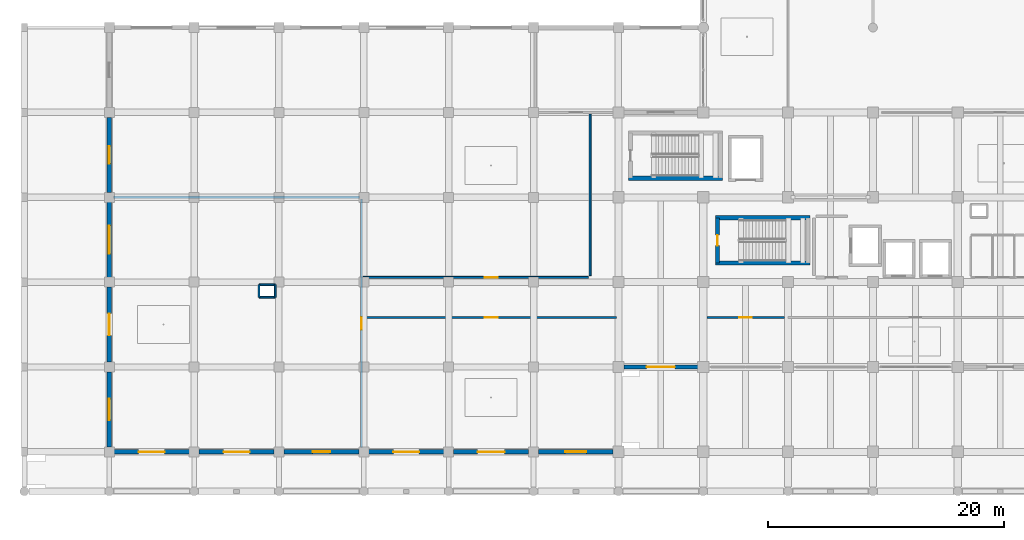
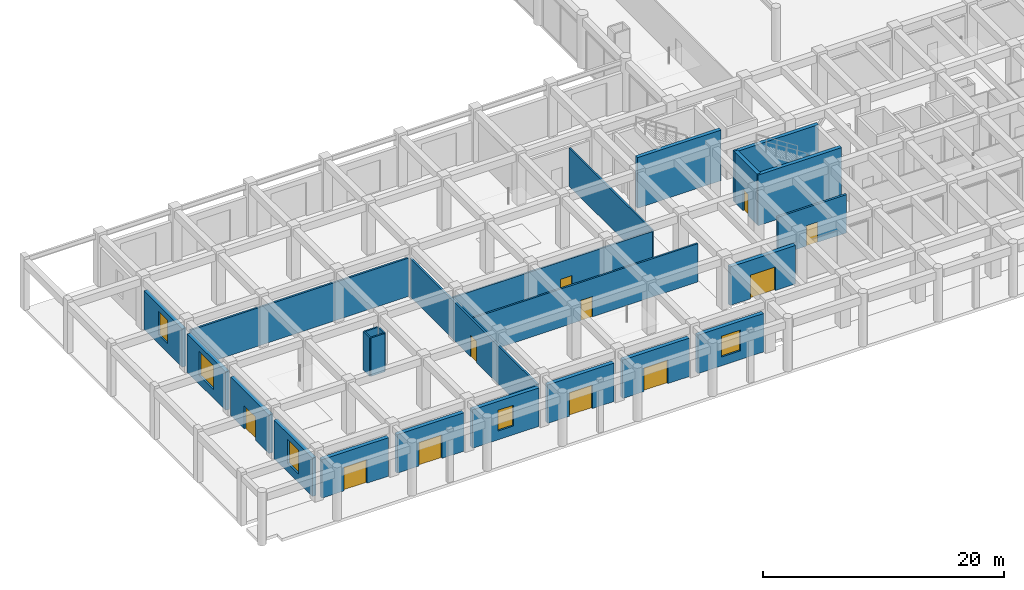
# One storey, part 25 of 56: 25 walls, 11 doors, 5 windows, 16 openings.
"""IFC4 building model written with IfcOpenShell, lengths in metres."""

from ifc_helpers import new_model, si_unit, direction, frame, frame_2d, origin, place, context, subcontext, project, spatial, rectangle, extrude, material, layer, layer_set, type_object, element, fill, save


model = new_model("IFC4")

# Units and contexts
model_context = context("Model", 3, precision=1e-05, world=origin(), true_north=direction((0.0, 1.0)))
body_context = subcontext(model_context, "Body", "Model", "MODEL_VIEW")
ifc_project = project(units=[si_unit("LENGTHUNIT", "METRE"), si_unit("AREAUNIT", "SQUARE_METRE"), si_unit("VOLUMEUNIT", "CUBIC_METRE"), si_unit("PLANEANGLEUNIT", "RADIAN"), si_unit("MASSUNIT", "GRAM", prefix="KILO")], contexts=[model_context])

# Site, building, storey
site_placement = place(None, origin())
site = spatial("IfcSite", under=ifc_project, at=site_placement, CompositionType="ELEMENT")
building_placement = place(site_placement, origin())
building = spatial("IfcBuilding", under=site, at=building_placement, Name="Kazehaya Institute of Natural Sciences", CompositionType="ELEMENT")
storey_placement = place(building_placement, origin())
storey = spatial("IfcBuildingStorey", under=building, at=storey_placement, Name="L00", CompositionType="ELEMENT", Elevation=0.0)

# Walls
ifc_material_1 = material(Name="Concrete Fc42", Category="concrete")
ifc_layer_1 = layer(ifc_material_1, 0.35009765625, Name="Concrete Fc42", Category="concrete")
ifc_layer_set_1 = layer_set([ifc_layer_1], Name="Concrete Fc42")
wall_type_1 = type_object("IfcWallType", Name="WL-CORE-350", PredefinedType="SHEAR", material=ifc_layer_set_1)
for number, where, z_axis, x_axis, name in (
    (1, (70.85498046875, 22.820068359375, 0.0), (0.0, 0.0, 1.0), (-1.0, 0.0, 0.0), "L00 ST-1 core wall S"),
    (2, (62.844970703125, 26.659912109375, 0.0), (0.0, 0.0, 1.0), (1.0, 0.0, 0.0), "L00 ST-1 core wall N"),
):
    element("IfcWall", number, at=place(storey_placement, frame(where, z_axis=z_axis, x_axis=x_axis)), inside=storey, type_object=wall_type_1, Name=name, PredefinedType="SHEAR", context=body_context, shape_type="SweptSolid", body=[
        extrude(rectangle(XDim=8.010009765625, YDim=0.35009765625, at=frame_2d((4.0048828125, 0.0))), origin(), (0.0, 0.0, 1.0), 5.1298828125),
    ])

# Wall, opening, door
wall_1_placement = place(storey_placement, frame((63.02001953125, 22.820068359375, 0.0), z_axis=(0.0, 0.0, 1.0), x_axis=(0.0, 1.0, 0.0)))
wall_1 = element("IfcWall", 3, at=wall_1_placement, inside=storey, type_object=wall_type_1, Name="L00 ST-1 core wall W", PredefinedType="SHEAR", context=body_context, shape_type="SweptSolid", body=[
    extrude(rectangle(XDim=3.83984375, YDim=0.35009765625, at=frame_2d((1.919921875, 0.0))), origin(), (0.0, 0.0, 1.0), 5.1298828125),
])
opening_1_placement = place(wall_1_placement, frame((1.469970703125, 0.0, 0.0)))
opening_1 = element("IfcOpeningElement", 4, at=opening_1_placement, cuts=wall_1, Name="Opening D-ST-002", PredefinedType="OPENING", context=body_context, shape_type="SweptSolid", body=[
    extrude(rectangle(XDim=0.89990234375, YDim=2.179931640625, at=frame_2d((0.449951171875, 1.08984375))), frame((0.0, 0.18505859375, 0.0), z_axis=(0.0, -1.0, 0.0), x_axis=(1.0, 0.0, 0.0)), (0.0, 0.0, 1.0), 0.3701171875),
])
ifc_material_2 = material(Name="Fire-rated steel acoustic door", Category="steel")
door_type_1 = type_object("IfcDoorType", Name="DT-FD-03", OperationType="NOTDEFINED", PredefinedType="DOOR", material=ifc_material_2)
door_1_placement = place(opening_1_placement, origin())
door_1 = element("IfcDoor", 5, at=door_1_placement, inside=storey, type_object=door_type_1, Name="L00 ST-1 stair enclosure door D-ST-002", OperationType="SINGLE_SWING_RIGHT", OverallHeight=2.179931640625, OverallWidth=0.89990234375, PredefinedType="DOOR", context=body_context, shape_type="SweptSolid", body=[
    extrude(rectangle(XDim=0.89990234375, YDim=2.179931640625, at=frame_2d((0.449951171875, 1.08984375))), frame((0.0, 0.02490234375, 0.0), z_axis=(0.0, -1.0, 0.0), x_axis=(1.0, 0.0, 0.0)), (0.0, 0.0, 1.0), 0.050048828125),
])
fill(opening_1, door_1)

# Wall
wall_2_placement = place(storey_placement, frame((63.455078125, 30.02001953125, 0.0), z_axis=(0.0, 0.0, 1.0), x_axis=(-1.0, 0.0, 0.0)))
element("IfcWall", 6, at=wall_2_placement, inside=storey, type_object=wall_type_1, Name="L00 ST-4 core wall S", PredefinedType="SHEAR", context=body_context, shape_type="SweptSolid", body=[
    extrude(rectangle(XDim=8.010009765625, YDim=0.35009765625, at=frame_2d((4.0048828125, 0.0))), origin(), (0.0, 0.0, 1.0), 5.1298828125),
])

# Wall, opening, window
ifc_material_3 = material(Name="Precast concrete Fc36", Category="concrete")
ifc_layer_2 = layer(ifc_material_3, 0.3701171875, Name="Precast concrete Fc36", Category="concrete")
ifc_layer_set_2 = layer_set([ifc_layer_2], Name="Precast concrete Fc36")
wall_type_2 = type_object("IfcWallType", Name="WL-EXT-370", PredefinedType="SOLIDWALL", material=ifc_layer_set_2)
wall_3_placement = place(storey_placement, frame((11.39990234375, 7.2099609375, 0.0), z_axis=(0.0, 0.0, 1.0), x_axis=(0.0, 1.0, 0.0)))
wall_3 = element("IfcWall", 7, at=wall_3_placement, inside=storey, type_object=wall_type_2, Name="L00 exterior wall EW-L00-0077", PredefinedType="SOLIDWALL", context=body_context, shape_type="SweptSolid", body=[
    extrude(rectangle(XDim=6.380126953125, YDim=0.3701171875, at=frame_2d((3.18994140625, 0.0))), origin(), (0.0, 0.0, 1.0), 3.89990234375),
])
opening_2_placement = place(wall_3_placement, frame((2.2900390625, 0.0, 0.89990234375)))
opening_2 = element("IfcOpeningElement", 8, at=opening_2_placement, cuts=wall_3, Name="Opening W01", PredefinedType="OPENING", context=body_context, shape_type="SweptSolid", body=[
    extrude(rectangle(XDim=1.800048828125, YDim=2.39990234375, at=frame_2d((0.89990234375, 1.199951171875))), frame((0.0, 0.195068359375, 0.0), z_axis=(0.0, -1.0, 0.0), x_axis=(1.0, 0.0, 0.0)), (0.0, 0.0, 1.0), 0.39013671875),
])
ifc_material_4 = material(Name="Low-E double-glazed aluminium window", Category="aluminium")
window_type_1 = type_object("IfcWindowType", Name="WN-01", PartitioningType="DOUBLE_PANEL_VERTICAL", PredefinedType="WINDOW", material=ifc_material_4)
window_1_placement = place(opening_2_placement, origin())
window_1 = element("IfcWindow", 9, at=window_1_placement, inside=storey, type_object=window_type_1, Name="L00 facade window 0001", OverallHeight=2.39990234375, OverallWidth=1.800048828125, PartitioningType="DOUBLE_PANEL_VERTICAL", PredefinedType="WINDOW", context=body_context, shape_type="SweptSolid", body=[
    extrude(rectangle(XDim=1.800048828125, YDim=2.39990234375, at=frame_2d((0.89990234375, 1.199951171875))), frame((0.0, 0.030029296875, 0.0), z_axis=(0.0, -1.0, 0.0), x_axis=(1.0, 0.0, 0.0)), (0.0, 0.0, 1.0), 0.06005859375),
])
fill(opening_2, window_1)

# Wall, opening, door
wall_4_placement = place(storey_placement, frame((11.39990234375, 14.409912109375, 0.0), z_axis=(0.0, 0.0, 1.0), x_axis=(0.0, 1.0, 0.0)))
wall_4 = element("IfcWall", 10, at=wall_4_placement, inside=storey, type_object=wall_type_2, Name="L00 exterior wall EW-L00-0078", PredefinedType="SOLIDWALL", context=body_context, shape_type="SweptSolid", body=[
    extrude(rectangle(XDim=6.380126953125, YDim=0.3701171875, at=frame_2d((3.18994140625, 0.0))), origin(), (0.0, 0.0, 1.0), 3.89990234375),
])
opening_3_placement = place(wall_4_placement, frame((2.264892578125, 0.0, 0.0)))
opening_3 = element("IfcOpeningElement", 11, at=opening_3_placement, cuts=wall_4, Name="Opening D-E05", PredefinedType="OPENING", context=body_context, shape_type="SweptSolid", body=[
    extrude(rectangle(XDim=1.85009765625, YDim=2.35009765625, at=frame_2d((0.925048828125, 1.175048828125))), frame((0.0, 0.195068359375, 0.0), z_axis=(0.0, -1.0, 0.0), x_axis=(1.0, 0.0, 0.0)), (0.0, 0.0, 1.0), 0.39013671875),
])
ifc_material_5 = material(Name="Insulated bronze-clad steel door", Category="steel")
door_type_2 = type_object("IfcDoorType", Name="DT-EXT-1850x2350", OperationType="DOUBLE_DOOR_SINGLE_SWING", PredefinedType="DOOR", material=ifc_material_5)
door_2_placement = place(opening_3_placement, origin())
door_2 = element("IfcDoor", 12, at=door_2_placement, inside=storey, type_object=door_type_2, Name="L00 exterior door D-E05", OperationType="DOUBLE_DOOR_SINGLE_SWING", OverallHeight=2.35009765625, OverallWidth=1.85009765625, PredefinedType="DOOR", context=body_context, shape_type="SweptSolid", body=[
    extrude(rectangle(XDim=1.85009765625, YDim=2.35009765625, at=frame_2d((0.925048828125, 1.175048828125))), frame((0.0, 0.02490234375, 0.0), z_axis=(0.0, -1.0, 0.0), x_axis=(1.0, 0.0, 0.0)), (0.0, 0.0, 1.0), 0.050048828125),
])
fill(opening_3, door_2)

# Wall, opening, window
wall_5_placement = place(storey_placement, frame((11.39990234375, 21.610107421875, 0.0), z_axis=(0.0, 0.0, 1.0), x_axis=(0.0, 1.0, 0.0)))
wall_5 = element("IfcWall", 13, at=wall_5_placement, inside=storey, type_object=wall_type_2, Name="L00 exterior wall EW-L00-0079", PredefinedType="SOLIDWALL", context=body_context, shape_type="SweptSolid", body=[
    extrude(rectangle(XDim=6.3798828125, YDim=0.3701171875, at=frame_2d((3.18994140625, 0.0))), origin(), (0.0, 0.0, 1.0), 3.89990234375),
])
opening_4_placement = place(wall_5_placement, frame((1.989990234375, 0.0, 0.89990234375)))
opening_4 = element("IfcOpeningElement", 14, at=opening_4_placement, cuts=wall_5, Name="Opening W03", PredefinedType="OPENING", context=body_context, shape_type="SweptSolid", body=[
    extrude(rectangle(XDim=2.39990234375, YDim=2.39990234375, at=frame_2d((1.199951171875, 1.199951171875))), frame((0.0, 0.195068359375, 0.0), z_axis=(0.0, -1.0, 0.0), x_axis=(1.0, 0.0, 0.0)), (0.0, 0.0, 1.0), 0.39013671875),
])
window_type_2 = type_object("IfcWindowType", Name="WN-03", PartitioningType="DOUBLE_PANEL_VERTICAL", PredefinedType="WINDOW", material=ifc_material_4)
window_2_placement = place(opening_4_placement, origin())
window_2 = element("IfcWindow", 15, at=window_2_placement, inside=storey, type_object=window_type_2, Name="L00 facade window 0002", OverallHeight=2.39990234375, OverallWidth=2.39990234375, PartitioningType="DOUBLE_PANEL_VERTICAL", PredefinedType="WINDOW", context=body_context, shape_type="SweptSolid", body=[
    extrude(rectangle(XDim=2.39990234375, YDim=2.39990234375, at=frame_2d((1.199951171875, 1.199951171875))), frame((0.0, 0.030029296875, 0.0), z_axis=(0.0, -1.0, 0.0), x_axis=(1.0, 0.0, 0.0)), (0.0, 0.0, 1.0), 0.06005859375),
])
fill(opening_4, window_2)

wall_6_placement = place(storey_placement, frame((11.39990234375, 28.81005859375, 0.0), z_axis=(0.0, 0.0, 1.0), x_axis=(0.0, 1.0, 0.0)))
wall_6 = element("IfcWall", 16, at=wall_6_placement, inside=storey, type_object=wall_type_2, Name="L00 exterior wall EW-L00-0080", PredefinedType="SOLIDWALL", context=body_context, shape_type="SweptSolid", body=[
    extrude(rectangle(XDim=6.3798828125, YDim=0.3701171875, at=frame_2d((3.18994140625, 0.0))), origin(), (0.0, 0.0, 1.0), 3.89990234375),
])
opening_5_placement = place(wall_6_placement, frame((2.43994140625, 0.0, 0.89990234375)))
opening_5 = element("IfcOpeningElement", 17, at=opening_5_placement, cuts=wall_6, Name="Opening W04", PredefinedType="OPENING", context=body_context, shape_type="SweptSolid", body=[
    extrude(rectangle(XDim=1.5, YDim=2.39990234375, at=frame_2d((0.75, 1.199951171875))), frame((0.0, 0.195068359375, 0.0), z_axis=(0.0, -1.0, 0.0), x_axis=(1.0, 0.0, 0.0)), (0.0, 0.0, 1.0), 0.39013671875),
])
window_type_3 = type_object("IfcWindowType", Name="WN-04", PartitioningType="SINGLE_PANEL", PredefinedType="WINDOW", material=ifc_material_4)
window_3_placement = place(opening_5_placement, origin())
window_3 = element("IfcWindow", 18, at=window_3_placement, inside=storey, type_object=window_type_3, Name="L00 facade window 0003", OverallHeight=2.39990234375, OverallWidth=1.5, PartitioningType="SINGLE_PANEL", PredefinedType="WINDOW", context=body_context, shape_type="SweptSolid", body=[
    extrude(rectangle(XDim=1.5, YDim=2.39990234375, at=frame_2d((0.75, 1.199951171875))), frame((0.0, 0.030029296875, 0.0), z_axis=(0.0, -1.0, 0.0), x_axis=(1.0, 0.0, 0.0)), (0.0, 0.0, 1.0), 0.06005859375),
])
fill(opening_5, window_3)

wall_7_placement = place(storey_placement, frame((54.139892578125, 6.800048828125, 0.0), z_axis=(0.0, 0.0, 1.0), x_axis=(-1.0, 0.0, 0.0)))
wall_7 = element("IfcWall", 19, at=wall_7_placement, inside=storey, type_object=wall_type_2, Name="L00 exterior wall EW-L00-0082", PredefinedType="SOLIDWALL", context=body_context, shape_type="SweptSolid", body=[
    extrude(rectangle(XDim=6.329833984375, YDim=0.3701171875, at=frame_2d((3.1650390625, 0.0))), origin(), (0.0, 0.0, 1.0), 3.89990234375),
])
opening_6_placement = place(wall_7_placement, frame((2.264892578125, 0.0, 0.89990234375)))
opening_6 = element("IfcOpeningElement", 20, at=opening_6_placement, cuts=wall_7, Name="Opening W06", PredefinedType="OPENING", context=body_context, shape_type="SweptSolid", body=[
    extrude(rectangle(XDim=1.800048828125, YDim=2.10009765625, at=frame_2d((0.89990234375, 1.050048828125))), frame((0.0, 0.195068359375, 0.0), z_axis=(0.0, -1.0, 0.0), x_axis=(1.0, 0.0, 0.0)), (0.0, 0.0, 1.0), 0.39013671875),
])
window_type_4 = type_object("IfcWindowType", Name="WN-06", PartitioningType="DOUBLE_PANEL_VERTICAL", PredefinedType="WINDOW", material=ifc_material_4)
window_4_placement = place(opening_6_placement, origin())
window_4 = element("IfcWindow", 21, at=window_4_placement, inside=storey, type_object=window_type_4, Name="L00 facade window 0005", OverallHeight=2.10009765625, OverallWidth=1.800048828125, PartitioningType="DOUBLE_PANEL_VERTICAL", PredefinedType="WINDOW", context=body_context, shape_type="SweptSolid", body=[
    extrude(rectangle(XDim=1.800048828125, YDim=2.10009765625, at=frame_2d((0.89990234375, 1.050048828125))), frame((0.0, 0.030029296875, 0.0), z_axis=(0.0, -1.0, 0.0), x_axis=(1.0, 0.0, 0.0)), (0.0, 0.0, 1.0), 0.06005859375),
])
fill(opening_6, window_4)

# Wall, opening, door
wall_8_placement = place(storey_placement, frame((46.989990234375, 6.800048828125, 0.0), z_axis=(0.0, 0.0, 1.0), x_axis=(-1.0, 0.0, 0.0)))
wall_8 = element("IfcWall", 22, at=wall_8_placement, inside=storey, type_object=wall_type_2, Name="L00 exterior wall EW-L00-0083", PredefinedType="SOLIDWALL", context=body_context, shape_type="SweptSolid", body=[
    extrude(rectangle(XDim=6.3798828125, YDim=0.3701171875, at=frame_2d((3.18994140625, 0.0))), origin(), (0.0, 0.0, 1.0), 3.89990234375),
])
opening_7_placement = place(wall_8_placement, frame((2.0400390625, 0.0, 0.0)))
opening_7 = element("IfcOpeningElement", 23, at=opening_7_placement, cuts=wall_8, Name="Opening D-E03", PredefinedType="OPENING", context=body_context, shape_type="SweptSolid", body=[
    extrude(rectangle(XDim=2.300048828125, YDim=2.39990234375, at=frame_2d((1.14990234375, 1.199951171875))), frame((0.0, 0.195068359375, 0.0), z_axis=(0.0, -1.0, 0.0), x_axis=(1.0, 0.0, 0.0)), (0.0, 0.0, 1.0), 0.39013671875),
])
door_type_3 = type_object("IfcDoorType", Name="DT-EXT-2300x2400", OperationType="DOUBLE_DOOR_SINGLE_SWING", PredefinedType="DOOR", material=ifc_material_5)
door_3_placement = place(opening_7_placement, origin())
door_3 = element("IfcDoor", 24, at=door_3_placement, inside=storey, type_object=door_type_3, Name="L00 exterior door D-E03", OperationType="DOUBLE_DOOR_SINGLE_SWING", OverallHeight=2.39990234375, OverallWidth=2.300048828125, PredefinedType="DOOR", context=body_context, shape_type="SweptSolid", body=[
    extrude(rectangle(XDim=2.300048828125, YDim=2.39990234375, at=frame_2d((1.14990234375, 1.199951171875))), frame((0.0, 0.02490234375, 0.0), z_axis=(0.0, -1.0, 0.0), x_axis=(1.0, 0.0, 0.0)), (0.0, 0.0, 1.0), 0.050048828125),
])
fill(opening_7, door_3)

wall_9_placement = place(storey_placement, frame((39.7900390625, 6.800048828125, 0.0), z_axis=(0.0, 0.0, 1.0), x_axis=(-1.0, 0.0, 0.0)))
wall_9 = element("IfcWall", 25, at=wall_9_placement, inside=storey, type_object=wall_type_2, Name="L00 exterior wall EW-L00-0084", PredefinedType="SOLIDWALL", context=body_context, shape_type="SweptSolid", body=[
    extrude(rectangle(XDim=6.380126953125, YDim=0.3701171875, at=frame_2d((3.18994140625, 0.0))), origin(), (0.0, 0.0, 1.0), 3.89990234375),
])
opening_8_placement = place(wall_9_placement, frame((2.090087890625, 0.0, 0.0)))
opening_8 = element("IfcOpeningElement", 26, at=opening_8_placement, cuts=wall_9, Name="Opening D-E11", PredefinedType="OPENING", context=body_context, shape_type="SweptSolid", body=[
    extrude(rectangle(XDim=2.199951171875, YDim=2.39990234375, at=frame_2d((1.10009765625, 1.199951171875))), frame((0.0, 0.195068359375, 0.0), z_axis=(0.0, -1.0, 0.0), x_axis=(1.0, 0.0, 0.0)), (0.0, 0.0, 1.0), 0.39013671875),
])
door_type_4 = type_object("IfcDoorType", Name="DT-EXT-2200x2400", OperationType="DOUBLE_DOOR_SINGLE_SWING", PredefinedType="DOOR", material=ifc_material_5)
door_4_placement = place(opening_8_placement, origin())
door_4 = element("IfcDoor", 27, at=door_4_placement, inside=storey, type_object=door_type_4, Name="L00 exterior door D-E11", OperationType="DOUBLE_DOOR_SINGLE_SWING", OverallHeight=2.39990234375, OverallWidth=2.199951171875, PredefinedType="DOOR", context=body_context, shape_type="SweptSolid", body=[
    extrude(rectangle(XDim=2.199951171875, YDim=2.39990234375, at=frame_2d((1.10009765625, 1.199951171875))), frame((0.0, 0.02490234375, 0.0), z_axis=(0.0, -1.0, 0.0), x_axis=(1.0, 0.0, 0.0)), (0.0, 0.0, 1.0), 0.050048828125),
])
fill(opening_8, door_4)

# Wall, opening, window
wall_10_placement = place(storey_placement, frame((32.590087890625, 6.800048828125, 0.0), z_axis=(0.0, 0.0, 1.0), x_axis=(-1.0, 0.0, 0.0)))
wall_10 = element("IfcWall", 28, at=wall_10_placement, inside=storey, type_object=wall_type_2, Name="L00 exterior wall EW-L00-0085", PredefinedType="SOLIDWALL", context=body_context, shape_type="SweptSolid", body=[
    extrude(rectangle(XDim=6.380126953125, YDim=0.3701171875, at=frame_2d((3.18994140625, 0.0))), origin(), (0.0, 0.0, 1.0), 3.89990234375),
])
opening_9_placement = place(wall_10_placement, frame((2.43994140625, 0.0, 0.89990234375)))
opening_9 = element("IfcOpeningElement", 29, at=opening_9_placement, cuts=wall_10, Name="Opening W09", PredefinedType="OPENING", context=body_context, shape_type="SweptSolid", body=[
    extrude(rectangle(XDim=1.5, YDim=2.10009765625, at=frame_2d((0.75, 1.050048828125))), frame((0.0, 0.195068359375, 0.0), z_axis=(0.0, -1.0, 0.0), x_axis=(1.0, 0.0, 0.0)), (0.0, 0.0, 1.0), 0.39013671875),
])
window_type_5 = type_object("IfcWindowType", Name="WN-09", PartitioningType="SINGLE_PANEL", PredefinedType="WINDOW", material=ifc_material_4)
window_5_placement = place(opening_9_placement, origin())
window_5 = element("IfcWindow", 30, at=window_5_placement, inside=storey, type_object=window_type_5, Name="L00 facade window 0006", OverallHeight=2.10009765625, OverallWidth=1.5, PartitioningType="SINGLE_PANEL", PredefinedType="WINDOW", context=body_context, shape_type="SweptSolid", body=[
    extrude(rectangle(XDim=1.5, YDim=2.10009765625, at=frame_2d((0.75, 1.050048828125))), frame((0.0, 0.030029296875, 0.0), z_axis=(0.0, -1.0, 0.0), x_axis=(1.0, 0.0, 0.0)), (0.0, 0.0, 1.0), 0.06005859375),
])
fill(opening_9, window_5)

# Wall, opening, door
wall_11_placement = place(storey_placement, frame((25.389892578125, 6.800048828125, 0.0), z_axis=(0.0, 0.0, 1.0), x_axis=(-1.0, 0.0, 0.0)))
wall_11 = element("IfcWall", 31, at=wall_11_placement, inside=storey, type_object=wall_type_2, Name="L00 exterior wall EW-L00-0086", PredefinedType="SOLIDWALL", context=body_context, shape_type="SweptSolid", body=[
    extrude(rectangle(XDim=6.3798828125, YDim=0.3701171875, at=frame_2d((3.18994140625, 0.0))), origin(), (0.0, 0.0, 1.0), 3.89990234375),
])
opening_10_placement = place(wall_11_placement, frame((2.090087890625, 0.0, 0.0)))
opening_10 = element("IfcOpeningElement", 32, at=opening_10_placement, cuts=wall_11, Name="Opening D-E04", PredefinedType="OPENING", context=body_context, shape_type="SweptSolid", body=[
    extrude(rectangle(XDim=2.199951171875, YDim=2.39990234375, at=frame_2d((1.10009765625, 1.199951171875))), frame((0.0, 0.195068359375, 0.0), z_axis=(0.0, -1.0, 0.0), x_axis=(1.0, 0.0, 0.0)), (0.0, 0.0, 1.0), 0.39013671875),
])
door_5_placement = place(opening_10_placement, origin())
door_5 = element("IfcDoor", 33, at=door_5_placement, inside=storey, type_object=door_type_4, Name="L00 exterior door D-E04", OperationType="DOUBLE_DOOR_SINGLE_SWING", OverallHeight=2.39990234375, OverallWidth=2.199951171875, PredefinedType="DOOR", context=body_context, shape_type="SweptSolid", body=[
    extrude(rectangle(XDim=2.199951171875, YDim=2.39990234375, at=frame_2d((1.10009765625, 1.199951171875))), frame((0.0, 0.02490234375, 0.0), z_axis=(0.0, -1.0, 0.0), x_axis=(1.0, 0.0, 0.0)), (0.0, 0.0, 1.0), 0.050048828125),
])
fill(opening_10, door_5)

wall_12_placement = place(storey_placement, frame((18.18994140625, 6.800048828125, 0.0), z_axis=(0.0, 0.0, 1.0), x_axis=(-1.0, 0.0, 0.0)))
wall_12 = element("IfcWall", 34, at=wall_12_placement, inside=storey, type_object=wall_type_2, Name="L00 exterior wall EW-L00-0087", PredefinedType="SOLIDWALL", context=body_context, shape_type="SweptSolid", body=[
    extrude(rectangle(XDim=6.3798828125, YDim=0.3701171875, at=frame_2d((3.18994140625, 0.0))), origin(), (0.0, 0.0, 1.0), 3.89990234375),
])
opening_11_placement = place(wall_12_placement, frame((2.090087890625, 0.0, 0.0)))
opening_11 = element("IfcOpeningElement", 35, at=opening_11_placement, cuts=wall_12, Name="Opening D-E12", PredefinedType="OPENING", context=body_context, shape_type="SweptSolid", body=[
    extrude(rectangle(XDim=2.199951171875, YDim=2.39990234375, at=frame_2d((1.10009765625, 1.199951171875))), frame((0.0, 0.195068359375, 0.0), z_axis=(0.0, -1.0, 0.0), x_axis=(1.0, 0.0, 0.0)), (0.0, 0.0, 1.0), 0.39013671875),
])
door_6_placement = place(opening_11_placement, origin())
door_6 = element("IfcDoor", 36, at=door_6_placement, inside=storey, type_object=door_type_4, Name="L00 exterior door D-E12", OperationType="DOUBLE_DOOR_SINGLE_SWING", OverallHeight=2.39990234375, OverallWidth=2.199951171875, PredefinedType="DOOR", context=body_context, shape_type="SweptSolid", body=[
    extrude(rectangle(XDim=2.199951171875, YDim=2.39990234375, at=frame_2d((1.10009765625, 1.199951171875))), frame((0.0, 0.02490234375, 0.0), z_axis=(0.0, -1.0, 0.0), x_axis=(1.0, 0.0, 0.0)), (0.0, 0.0, 1.0), 0.050048828125),
])
fill(opening_11, door_6)

wall_13_placement = place(storey_placement, frame((61.340087890625, 14.0, 0.0), z_axis=(0.0, 0.0, 1.0), x_axis=(-1.0, 0.0, 0.0)))
wall_13 = element("IfcWall", 37, at=wall_13_placement, inside=storey, type_object=wall_type_2, Name="L00 exterior wall EW-L00-0097", PredefinedType="SOLIDWALL", context=body_context, shape_type="SweptSolid", body=[
    extrude(rectangle(XDim=6.280029296875, YDim=0.3701171875, at=frame_2d((3.14013671875, 0.0))), origin(), (0.0, 0.0, 1.0), 3.89990234375),
])
opening_12_placement = place(wall_13_placement, frame((1.93994140625, 0.0, 0.0)))
opening_12 = element("IfcOpeningElement", 38, at=opening_12_placement, cuts=wall_13, Name="Opening D-E01", PredefinedType="OPENING", context=body_context, shape_type="SweptSolid", body=[
    extrude(rectangle(XDim=2.39990234375, YDim=2.39990234375, at=frame_2d((1.199951171875, 1.199951171875))), frame((0.0, 0.195068359375, 0.0), z_axis=(0.0, -1.0, 0.0), x_axis=(1.0, 0.0, 0.0)), (0.0, 0.0, 1.0), 0.39013671875),
])
door_type_5 = type_object("IfcDoorType", Name="DT-EXT-2400x2400", OperationType="DOUBLE_DOOR_SINGLE_SWING", PredefinedType="DOOR", material=ifc_material_5)
door_7_placement = place(opening_12_placement, origin())
door_7 = element("IfcDoor", 39, at=door_7_placement, inside=storey, type_object=door_type_5, Name="L00 exterior door D-E01", OperationType="DOUBLE_DOOR_SINGLE_SWING", OverallHeight=2.39990234375, OverallWidth=2.39990234375, PredefinedType="DOOR", context=body_context, shape_type="SweptSolid", body=[
    extrude(rectangle(XDim=2.39990234375, YDim=2.39990234375, at=frame_2d((1.199951171875, 1.199951171875))), frame((0.0, 0.02490234375, 0.0), z_axis=(0.0, -1.0, 0.0), x_axis=(1.0, 0.0, 0.0)), (0.0, 0.0, 1.0), 0.050048828125),
])
fill(opening_12, door_7)

ifc_material_6 = material(Name="Gypsum acoustic partition", Category="gypsum")
ifc_layer_3 = layer(ifc_material_6, 0.159912109375, Name="Gypsum acoustic partition", Category="gypsum")
ifc_layer_set_3 = layer_set([ifc_layer_3], Name="Gypsum acoustic partition")
wall_type_3 = type_object("IfcWallType", Name="WL-PART-160", PredefinedType="PARTITIONING", material=ifc_layer_set_3)
wall_14_placement = place(storey_placement, frame((52.050048828125, 21.60009765625, 0.0), z_axis=(0.0, 0.0, 1.0), x_axis=(-1.0, 0.0, 0.0)))
wall_14 = element("IfcWall", 40, at=wall_14_placement, inside=storey, type_object=wall_type_3, Name="L00 Nanofabrication Lithography Clean Room partition IW-L00-0060", PredefinedType="PARTITIONING", context=body_context, shape_type="SweptSolid", body=[
    extrude(rectangle(XDim=19.10009765625, YDim=0.159912109375, at=frame_2d((9.550048828125, 0.0))), origin(), (0.0, 0.0, 1.0), 3.8798828125),
])
opening_13_placement = place(wall_14_placement, frame((7.699951171875, 0.0, 0.0)))
opening_13 = element("IfcOpeningElement", 41, at=opening_13_placement, cuts=wall_14, Name="Opening D-L00-0063", PredefinedType="OPENING", context=body_context, shape_type="SweptSolid", body=[
    extrude(rectangle(XDim=1.10009765625, YDim=2.1201171875, at=frame_2d((0.550048828125, 1.06005859375))), frame((0.0, 0.08984375, 0.0), z_axis=(0.0, -1.0, 0.0), x_axis=(1.0, 0.0, 0.0)), (0.0, 0.0, 1.0), 0.179931640625),
])
door_type_6 = type_object("IfcDoorType", Name="DT-FD-17", OperationType="NOTDEFINED", PredefinedType="DOOR", material=ifc_material_2)
door_8_placement = place(opening_13_placement, origin())
door_8 = element("IfcDoor", 42, at=door_8_placement, inside=storey, type_object=door_type_6, Name="L00 Nanofabrication Lithography Clean Room door D-L00-0063", OperationType="SINGLE_SWING_LEFT", OverallHeight=2.1201171875, OverallWidth=1.10009765625, PredefinedType="DOOR", context=body_context, shape_type="SweptSolid", body=[
    extrude(rectangle(XDim=1.10009765625, YDim=2.1201171875, at=frame_2d((0.550048828125, 1.06005859375))), frame((0.0, 0.02490234375, 0.0), z_axis=(0.0, -1.0, 0.0), x_axis=(1.0, 0.0, 0.0)), (0.0, 0.0, 1.0), 0.050048828125),
])
fill(opening_13, door_8)

# Wall
wall_15_placement = place(storey_placement, frame((52.199951171875, 35.449951171875, 0.0), z_axis=(0.0, 0.0, 1.0), x_axis=(0.0, -1.0, 0.0)))
element("IfcWall", 43, at=wall_15_placement, inside=storey, type_object=wall_type_3, Name="L00 Nanofabrication Lithography Clean Room partition IW-L00-0061", PredefinedType="PARTITIONING", context=body_context, shape_type="SweptSolid", body=[
    extrude(rectangle(XDim=13.699951171875, YDim=0.159912109375, at=frame_2d((6.85009765625, 0.0))), origin(), (0.0, 0.0, 1.0), 3.8798828125),
])

# Wall, opening, door
ifc_material_7 = material(Name="Cleanroom flush modular partition")
ifc_layer_4 = layer(ifc_material_7, 0.169921875, Name="Cleanroom flush modular partition")
ifc_layer_set_4 = layer_set([ifc_layer_4], Name="Cleanroom flush modular partition")
wall_type_4 = type_object("IfcWallType", Name="WL-PART-170", PredefinedType="PARTITIONING", material=ifc_layer_set_4)
wall_16_placement = place(storey_placement, frame((32.949951171875, 18.199951171875, 0.0), z_axis=(0.0, 0.0, 1.0), x_axis=(1.0, 0.0, 0.0)))
wall_16 = element("IfcWall", 44, at=wall_16_placement, inside=storey, type_object=wall_type_4, Name="L00 Clean Room Gowning Airlock Suite partition IW-L00-0059", PredefinedType="PARTITIONING", context=body_context, shape_type="SweptSolid", body=[
    extrude(rectangle(XDim=21.5, YDim=0.169921875, at=frame_2d((10.75, 0.0))), origin(), (0.0, 0.0, 1.0), 3.8798828125),
])
opening_14_placement = place(wall_16_placement, frame((10.300048828125, 0.0, 0.0)))
opening_14 = element("IfcOpeningElement", 45, at=opening_14_placement, cuts=wall_16, Name="Opening D-L00-0062", PredefinedType="OPENING", context=body_context, shape_type="SweptSolid", body=[
    extrude(rectangle(XDim=1.10009765625, YDim=2.06005859375, at=frame_2d((0.550048828125, 1.030029296875))), frame((0.0, 0.094970703125, 0.0), z_axis=(0.0, -1.0, 0.0), x_axis=(1.0, 0.0, 0.0)), (0.0, 0.0, 1.0), 0.18994140625),
])
door_type_7 = type_object("IfcDoorType", Name="DT-FD-16", OperationType="NOTDEFINED", PredefinedType="DOOR", material=ifc_material_2)
door_9_placement = place(opening_14_placement, origin())
door_9 = element("IfcDoor", 46, at=door_9_placement, inside=storey, type_object=door_type_7, Name="L00 Clean Room Gowning Airlock Suite door D-L00-0062", OperationType="SINGLE_SWING_RIGHT", OverallHeight=2.06005859375, OverallWidth=1.10009765625, PredefinedType="DOOR", context=body_context, shape_type="SweptSolid", body=[
    extrude(rectangle(XDim=1.10009765625, YDim=2.06005859375, at=frame_2d((0.550048828125, 1.030029296875))), frame((0.0, 0.02490234375, 0.0), z_axis=(0.0, -1.0, 0.0), x_axis=(1.0, 0.0, 0.0)), (0.0, 0.0, 1.0), 0.050048828125),
])
fill(opening_14, door_9)

# Wall
ifc_material_8 = material(Name="Cleanroom insulated metal partition")
ifc_layer_5 = layer(ifc_material_8, 0.179931640625, Name="Cleanroom insulated metal partition")
ifc_layer_set_5 = layer_set([ifc_layer_5], Name="Cleanroom insulated metal partition")
wall_type_5 = type_object("IfcWallType", Name="WL-PART-180", PredefinedType="PARTITIONING", material=ifc_layer_set_5)
wall_17_placement = place(storey_placement, frame((11.75, 28.39990234375, 0.0), z_axis=(0.0, 0.0, 1.0), x_axis=(1.0, 0.0, 0.0)))
element("IfcWall", 47, at=wall_17_placement, inside=storey, type_object=wall_type_5, Name="L00 Clean Room ISO Class Five Suite partition IW-L00-0057", PredefinedType="PARTITIONING", context=body_context, shape_type="SweptSolid", body=[
    extrude(rectangle(XDim=20.89990234375, YDim=0.179931640625, at=frame_2d((10.449951171875, 0.0))), origin(), (0.0, 0.0, 1.0), 3.8798828125),
])

# Wall, opening, door
wall_18_placement = place(storey_placement, frame((32.800048828125, 28.25, 0.0), z_axis=(0.0, 0.0, 1.0), x_axis=(0.0, -1.0, 0.0)))
wall_18 = element("IfcWall", 48, at=wall_18_placement, inside=storey, type_object=wall_type_5, Name="L00 Clean Room ISO Class Five Suite partition IW-L00-0058", PredefinedType="PARTITIONING", context=body_context, shape_type="SweptSolid", body=[
    extrude(rectangle(XDim=21.10009765625, YDim=0.179931640625, at=frame_2d((10.550048828125, 0.0))), origin(), (0.0, 0.0, 1.0), 3.8798828125),
])
opening_15_placement = place(wall_18_placement, frame((10.02001953125, 0.0, 0.0)))
opening_15 = element("IfcOpeningElement", 49, at=opening_15_placement, cuts=wall_18, Name="Opening D-L00-0061", PredefinedType="OPENING", context=body_context, shape_type="SweptSolid", body=[
    extrude(rectangle(XDim=1.06005859375, YDim=2.179931640625, at=frame_2d((0.530029296875, 1.08984375))), frame((0.0, 0.099853515625, 0.0), z_axis=(0.0, -1.0, 0.0), x_axis=(1.0, 0.0, 0.0)), (0.0, 0.0, 1.0), 0.199951171875),
])
door_type_8 = type_object("IfcDoorType", Name="DT-FD-15", OperationType="NOTDEFINED", PredefinedType="DOOR", material=ifc_material_2)
door_10_placement = place(opening_15_placement, origin())
door_10 = element("IfcDoor", 50, at=door_10_placement, inside=storey, type_object=door_type_8, Name="L00 Clean Room ISO Class Five Suite door D-L00-0061", OperationType="SINGLE_SWING_LEFT", OverallHeight=2.179931640625, OverallWidth=1.06005859375, PredefinedType="DOOR", context=body_context, shape_type="SweptSolid", body=[
    extrude(rectangle(XDim=1.06005859375, YDim=2.179931640625, at=frame_2d((0.530029296875, 1.08984375))), frame((0.0, 0.02490234375, 0.0), z_axis=(0.0, -1.0, 0.0), x_axis=(1.0, 0.0, 0.0)), (0.0, 0.0, 1.0), 0.050048828125),
])
fill(opening_15, door_10)

ifc_material_9 = material(Name="Gypsum fire-rated partition", Category="gypsum")
ifc_layer_6 = layer(ifc_material_9, 0.199951171875, Name="Gypsum fire-rated partition", Category="gypsum")
ifc_layer_set_6 = layer_set([ifc_layer_6], Name="Gypsum fire-rated partition")
wall_type_6 = type_object("IfcWallType", Name="WL-PART-200", PredefinedType="PARTITIONING", material=ifc_layer_set_6)
wall_19_placement = place(storey_placement, frame((62.10009765625, 18.199951171875, 0.0), z_axis=(0.0, 0.0, 1.0), x_axis=(1.0, 0.0, 0.0)))
wall_19 = element("IfcWall", 51, at=wall_19_placement, inside=storey, type_object=wall_type_6, Name="L00 Disaster Prevention and Fire Command Center partition IW-L00-0054", PredefinedType="PARTITIONING", context=body_context, shape_type="SweptSolid", body=[
    extrude(rectangle(XDim=6.599853515625, YDim=0.199951171875, at=frame_2d((3.2998046875, 0.0))), origin(), (0.0, 0.0, 1.0), 3.8798828125),
])
opening_16_placement = place(wall_19_placement, frame((2.77001953125, 0.0, 0.0)))
opening_16 = element("IfcOpeningElement", 52, at=opening_16_placement, cuts=wall_19, Name="Opening D-L00-0059", PredefinedType="OPENING", context=body_context, shape_type="SweptSolid", body=[
    extrude(rectangle(XDim=1.06005859375, YDim=2.06005859375, at=frame_2d((0.530029296875, 1.030029296875))), frame((0.0, 0.10986328125, 0.0), z_axis=(0.0, -1.0, 0.0), x_axis=(1.0, 0.0, 0.0)), (0.0, 0.0, 1.0), 0.219970703125),
])
door_type_9 = type_object("IfcDoorType", Name="DT-FD-13", OperationType="NOTDEFINED", PredefinedType="DOOR", material=ifc_material_2)
door_11_placement = place(opening_16_placement, origin())
door_11 = element("IfcDoor", 53, at=door_11_placement, inside=storey, type_object=door_type_9, Name="L00 Disaster Prevention and Fire Command Center door D-L00-0059", OperationType="SINGLE_SWING_LEFT", OverallHeight=2.06005859375, OverallWidth=1.06005859375, PredefinedType="DOOR", context=body_context, shape_type="SweptSolid", body=[
    extrude(rectangle(XDim=1.06005859375, YDim=2.06005859375, at=frame_2d((0.530029296875, 1.030029296875))), frame((0.0, 0.02490234375, 0.0), z_axis=(0.0, -1.0, 0.0), x_axis=(1.0, 0.0, 0.0)), (0.0, 0.0, 1.0), 0.050048828125),
])
fill(opening_16, door_11)

# Walls
ifc_material_10 = material(Name="Concrete Fc36", Category="concrete")
ifc_layer_7 = layer(ifc_material_10, 0.14990234375, Name="Concrete Fc36", Category="concrete")
ifc_layer_set_7 = layer_set([ifc_layer_7], Name="Concrete Fc36")
wall_type_7 = type_object("IfcWallType", Name="WL-RISER-150", PredefinedType="PARTITIONING", material=ifc_layer_set_7)
for number, where, z_axis, x_axis, name in (
    (54, (25.485107421875, 19.9150390625, 0.0), (0.0, 0.0, 1.0), (-1.0, 0.0, 0.0), "L00 fume exhaust riser shaft wall 10"),
    (55, (24.114990234375, 20.985107421875, 0.0), (0.0, 0.0, 1.0), (1.0, 0.0, 0.0), "L00 fume exhaust riser shaft wall 10"),
):
    element("IfcWall", number, at=place(storey_placement, frame(where, z_axis=z_axis, x_axis=x_axis)), inside=storey, type_object=wall_type_7, Name=name, PredefinedType="PARTITIONING", context=body_context, shape_type="SweptSolid", body=[
        extrude(rectangle(XDim=1.3701171875, YDim=0.14990234375, at=frame_2d((0.68505859375, 0.0))), origin(), (0.0, 0.0, 1.0), 3.8798828125),
    ])
for number, where, z_axis, x_axis, name in (
    (56, (24.114990234375, 19.9150390625, 0.0), (0.0, 0.0, 1.0), (0.0, 1.0, 0.0), "L00 fume exhaust riser shaft wall 10"),
    (57, (25.485107421875, 20.985107421875, 0.0), (0.0, 0.0, 1.0), (0.0, -1.0, 0.0), "L00 fume exhaust riser shaft wall 10"),
):
    element("IfcWall", number, at=place(storey_placement, frame(where, z_axis=z_axis, x_axis=x_axis)), inside=storey, type_object=wall_type_7, Name=name, PredefinedType="PARTITIONING", context=body_context, shape_type="SweptSolid", body=[
        extrude(rectangle(XDim=1.070068359375, YDim=0.14990234375, at=frame_2d((0.53515625, 0.0))), origin(), (0.0, 0.0, 1.0), 3.8798828125),
    ])

save(model, "model.ifc")
